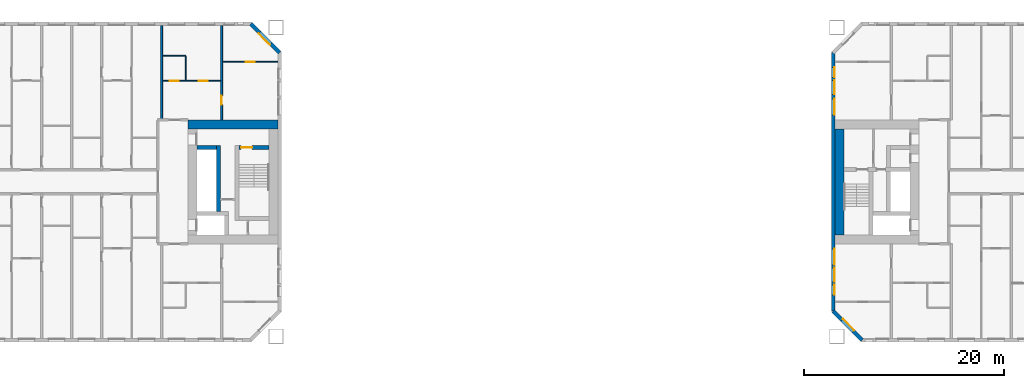
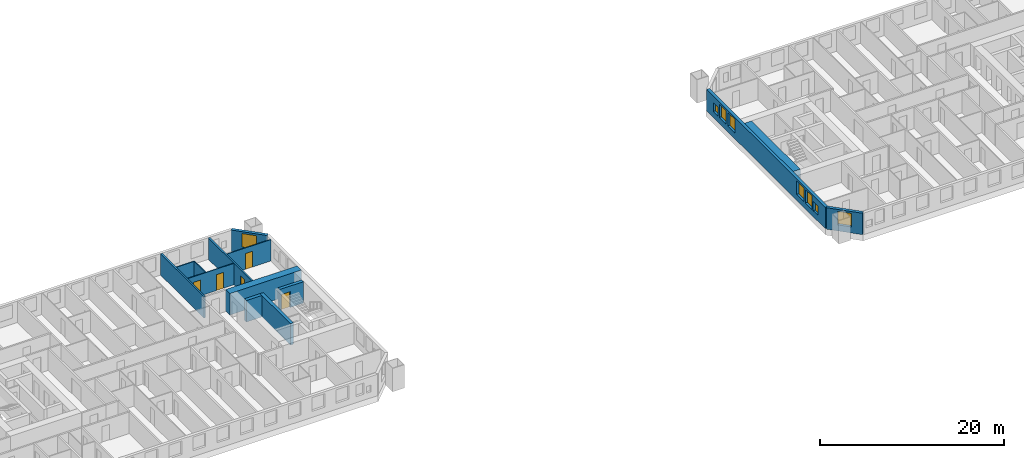
# One storey, part 8 of 16: 14 walls, 8 windows, 5 doors, 13 openings.
"""IFC4 building model written with IfcOpenShell, lengths in metres."""

from ifc_helpers import new_model, si_unit, direction, frame, frame_2d, origin, place, context, subcontext, project, spatial, rectangle, extrude, material, layer, layer_set, type_object, element, fill, save


model = new_model("IFC4")

# Units and contexts
model_context = context("Model", 3, precision=1e-05, world=origin(), true_north=direction((0.0, 1.0)))
body_context = subcontext(model_context, "Body", "Model", "MODEL_VIEW")
ifc_project = project(units=[si_unit("LENGTHUNIT", "METRE"), si_unit("AREAUNIT", "SQUARE_METRE"), si_unit("VOLUMEUNIT", "CUBIC_METRE"), si_unit("PLANEANGLEUNIT", "RADIAN"), si_unit("MASSUNIT", "GRAM", prefix="KILO")], contexts=[model_context])

# Site, building, storey
site_placement = place(None, origin())
site = spatial("IfcSite", under=ifc_project, at=site_placement, CompositionType="ELEMENT")
building_placement = place(site_placement, origin())
building = spatial("IfcBuilding", under=site, at=building_placement, Name="Tuart Gate Housing", CompositionType="ELEMENT")
storey_placement = place(building_placement, frame((0.0, 0.0, 19.5)))
storey = spatial("IfcBuildingStorey", under=building, at=storey_placement, Name="L04", CompositionType="ELEMENT", Elevation=19.5)

# Wall, opening, window
ifc_material_1 = material(Name="Brick", Category="masonry")
ifc_layer_1 = layer(ifc_material_1, 0.360107421875)
ifc_layer_set_1 = layer_set([ifc_layer_1], Name="Brick pier and spandrel wall 360")
wall_type_1 = type_object("IfcWallType", Name="Brick pier and spandrel wall 360", PredefinedType="STANDARD", material=ifc_layer_set_1)
wall_1_placement = place(storey_placement, frame((75.820068359375, 82.92529296875, 0.0), z_axis=(0.0, 0.0, 1.0), x_axis=(-0.707106781187, 0.707106781187, 0.0)))
wall_1 = element("IfcWall", 1, at=wall_1_placement, inside=storey, type_object=wall_type_1, Name="External wall A-NE L04", PredefinedType="STANDARD", context=body_context, shape_type="SweptSolid", body=[
    extrude(rectangle(XDim=4.09375, YDim=0.360107421875, at=frame_2d((2.046875, 0.0))), origin(), (0.0, 0.0, 1.0), 2.85009765625),
])
opening_1_placement = place(wall_1_placement, frame((1.2470703125, 0.0, 0.800048828125)))
opening_1 = element("IfcOpeningElement", 2, at=opening_1_placement, cuts=wall_1, Name="Opening W1", PredefinedType="OPENING", context=body_context, shape_type="SweptSolid", body=[
    extrude(rectangle(XDim=1.60009765625, YDim=1.800048828125, at=frame_2d((0.800048828125, 0.89990234375))), frame((0.0, 0.18994140625, 0.0), z_axis=(0.0, -1.0, 0.0), x_axis=(1.0, 0.0, 0.0)), (0.0, 0.0, 1.0), 0.380126953125),
])
ifc_material_2 = material(Name="Aluminium frame with clear glass", Category="aluminium")
window_type_1 = type_object("IfcWindowType", Name="Punched window 1600 x 1800", PartitioningType="SINGLE_PANEL", PredefinedType="WINDOW", material=ifc_material_2)
window_1_placement = place(opening_1_placement, origin())
window_1 = element("IfcWindow", 3, at=window_1_placement, inside=storey, type_object=window_type_1, Name="Window W1", OverallHeight=1.800048828125, OverallWidth=1.60009765625, PartitioningType="SINGLE_PANEL", PredefinedType="WINDOW", context=body_context, shape_type="SweptSolid", body=[
    extrude(rectangle(XDim=1.60009765625, YDim=1.800048828125, at=frame_2d((0.800048828125, 0.89990234375))), frame((0.0, 0.150146484375, 0.0), z_axis=(0.0, -1.0, 0.0), x_axis=(1.0, 0.0, 0.0)), (0.0, 0.0, 1.0), 0.06005859375),
])
fill(opening_1, window_1)

wall_2_placement = place(storey_placement, frame((131.179931640625, 57.07470703125, 0.0), z_axis=(0.0, 0.0, 1.0), x_axis=(0.707106781187, -0.707106781187, 0.0)))
wall_2 = element("IfcWall", 4, at=wall_2_placement, inside=storey, type_object=wall_type_1, Name="External wall B-SW L04", PredefinedType="STANDARD", context=body_context, shape_type="SweptSolid", body=[
    extrude(rectangle(XDim=4.09375, YDim=0.360107421875, at=frame_2d((2.046875, 0.0))), origin(), (0.0, 0.0, 1.0), 2.85009765625),
])
opening_2_placement = place(wall_2_placement, frame((1.2470703125, 0.0, 0.800048828125)))
opening_2 = element("IfcOpeningElement", 5, at=opening_2_placement, cuts=wall_2, Name="Opening W1", PredefinedType="OPENING", context=body_context, shape_type="SweptSolid", body=[
    extrude(rectangle(XDim=1.60009765625, YDim=1.800048828125, at=frame_2d((0.800048828125, 0.89990234375))), frame((0.0, 0.18994140625, 0.0), z_axis=(0.0, -1.0, 0.0), x_axis=(1.0, 0.0, 0.0)), (0.0, 0.0, 1.0), 0.380126953125),
])
window_2_placement = place(opening_2_placement, origin())
window_2 = element("IfcWindow", 6, at=window_2_placement, inside=storey, type_object=window_type_1, Name="Window W1", OverallHeight=1.800048828125, OverallWidth=1.60009765625, PartitioningType="SINGLE_PANEL", PredefinedType="WINDOW", context=body_context, shape_type="SweptSolid", body=[
    extrude(rectangle(XDim=1.60009765625, YDim=1.800048828125, at=frame_2d((0.800048828125, 0.89990234375))), frame((0.0, 0.150146484375, 0.0), z_axis=(0.0, -1.0, 0.0), x_axis=(1.0, 0.0, 0.0)), (0.0, 0.0, 1.0), 0.06005859375),
])
fill(opening_2, window_2)

# Wall, openings, windows
wall_3_placement = place(storey_placement, frame((131.179931640625, 82.92529296875, 0.0), z_axis=(0.0, 0.0, 1.0), x_axis=(0.0, -1.0, 0.0)))
wall_3 = element("IfcWall", 7, at=wall_3_placement, inside=storey, type_object=wall_type_1, Name="External wall B-W L04", PredefinedType="STANDARD", context=body_context, shape_type="SweptSolid", body=[
    extrude(rectangle(XDim=25.850830078125, YDim=0.360107421875, at=frame_2d((12.92529296875, 0.0))), origin(), (0.0, 0.0, 1.0), 2.85009765625),
])
opening_3_placement = place(wall_3_placement, frame((1.475341796875, 0.0, 0.800048828125)))
opening_3 = element("IfcOpeningElement", 8, at=opening_3_placement, cuts=wall_3, Name="Opening W1O", PredefinedType="OPENING", context=body_context, shape_type="SweptSolid", body=[
    extrude(rectangle(XDim=1.0, YDim=1.199951171875, at=frame_2d((0.5, 0.60009765625))), frame((0.0, 0.18994140625, 0.0), z_axis=(0.0, -1.0, 0.0), x_axis=(1.0, 0.0, 0.0)), (0.0, 0.0, 1.0), 0.380126953125),
])
opening_4_placement = place(wall_3_placement, frame((4.62548828125, 0.0, 0.800048828125)))
opening_4 = element("IfcOpeningElement", 9, at=opening_4_placement, cuts=wall_3, Name="Opening W1", PredefinedType="OPENING", context=body_context, shape_type="SweptSolid", body=[
    extrude(rectangle(XDim=1.60009765625, YDim=1.800048828125, at=frame_2d((0.800048828125, 0.89990234375))), frame((0.0, 0.18994140625, 0.0), z_axis=(0.0, -1.0, 0.0), x_axis=(1.0, 0.0, 0.0)), (0.0, 0.0, 1.0), 0.380126953125),
])
opening_5_placement = place(wall_3_placement, frame((19.62548828125, 0.0, 0.800048828125)))
opening_5 = element("IfcOpeningElement", 10, at=opening_5_placement, cuts=wall_3, Name="Opening W1", PredefinedType="OPENING", context=body_context, shape_type="SweptSolid", body=[
    extrude(rectangle(XDim=1.60009765625, YDim=1.800048828125, at=frame_2d((0.800048828125, 0.89990234375))), frame((0.0, 0.18994140625, 0.0), z_axis=(0.0, -1.0, 0.0), x_axis=(1.0, 0.0, 0.0)), (0.0, 0.0, 1.0), 0.380126953125),
])
opening_6_placement = place(wall_3_placement, frame((21.525390625, 0.0, 0.800048828125)))
opening_6 = element("IfcOpeningElement", 11, at=opening_6_placement, cuts=wall_3, Name="Opening W1A", PredefinedType="OPENING", context=body_context, shape_type="SweptSolid", body=[
    extrude(rectangle(XDim=1.39990234375, YDim=1.800048828125, at=frame_2d((0.699951171875, 0.89990234375))), frame((0.0, 0.18994140625, 0.0), z_axis=(0.0, -1.0, 0.0), x_axis=(1.0, 0.0, 0.0)), (0.0, 0.0, 1.0), 0.380126953125),
])
opening_7_placement = place(wall_3_placement, frame((2.775390625, 0.0, 0.800048828125)))
opening_7 = element("IfcOpeningElement", 12, at=opening_7_placement, cuts=wall_3, Name="Opening W1A", PredefinedType="OPENING", context=body_context, shape_type="SweptSolid", body=[
    extrude(rectangle(XDim=1.39990234375, YDim=1.800048828125, at=frame_2d((0.699951171875, 0.89990234375))), frame((0.0, 0.18994140625, 0.0), z_axis=(0.0, -1.0, 0.0), x_axis=(1.0, 0.0, 0.0)), (0.0, 0.0, 1.0), 0.380126953125),
])
opening_8_placement = place(wall_3_placement, frame((23.225341796875, 0.0, 0.800048828125)))
opening_8 = element("IfcOpeningElement", 13, at=opening_8_placement, cuts=wall_3, Name="Opening W1O", PredefinedType="OPENING", context=body_context, shape_type="SweptSolid", body=[
    extrude(rectangle(XDim=1.0, YDim=1.199951171875, at=frame_2d((0.5, 0.60009765625))), frame((0.0, 0.18994140625, 0.0), z_axis=(0.0, -1.0, 0.0), x_axis=(1.0, 0.0, 0.0)), (0.0, 0.0, 1.0), 0.380126953125),
])
ifc_material_3 = material(Name="Aluminium frame with clear glass", Category="aluminium")
window_type_2 = type_object("IfcWindowType", Name="Punched window 1000 x 1200", PartitioningType="SINGLE_PANEL", PredefinedType="WINDOW", material=ifc_material_3)
window_3_placement = place(opening_3_placement, origin())
window_3 = element("IfcWindow", 14, at=window_3_placement, inside=storey, type_object=window_type_2, Name="Window W1O", OverallHeight=1.199951171875, OverallWidth=1.0, PartitioningType="SINGLE_PANEL", PredefinedType="WINDOW", context=body_context, shape_type="SweptSolid", body=[
    extrude(rectangle(XDim=1.0, YDim=1.199951171875, at=frame_2d((0.5, 0.60009765625))), frame((0.0, 0.150146484375, 0.0), z_axis=(0.0, -1.0, 0.0), x_axis=(1.0, 0.0, 0.0)), (0.0, 0.0, 1.0), 0.06005859375),
])
fill(opening_3, window_3)
window_4_placement = place(opening_8_placement, origin())
window_4 = element("IfcWindow", 15, at=window_4_placement, inside=storey, type_object=window_type_2, Name="Window W1O", OverallHeight=1.199951171875, OverallWidth=1.0, PartitioningType="SINGLE_PANEL", PredefinedType="WINDOW", context=body_context, shape_type="SweptSolid", body=[
    extrude(rectangle(XDim=1.0, YDim=1.199951171875, at=frame_2d((0.5, 0.60009765625))), frame((0.0, 0.150146484375, 0.0), z_axis=(0.0, -1.0, 0.0), x_axis=(1.0, 0.0, 0.0)), (0.0, 0.0, 1.0), 0.06005859375),
])
fill(opening_8, window_4)
ifc_material_4 = material(Name="Aluminium frame with clear glass", Category="aluminium")
window_type_3 = type_object("IfcWindowType", Name="Punched window 1400 x 1800", PartitioningType="SINGLE_PANEL", PredefinedType="WINDOW", material=ifc_material_4)
window_5_placement = place(opening_6_placement, origin())
window_5 = element("IfcWindow", 16, at=window_5_placement, inside=storey, type_object=window_type_3, Name="Window W1A", OverallHeight=1.800048828125, OverallWidth=1.39990234375, PartitioningType="SINGLE_PANEL", PredefinedType="WINDOW", context=body_context, shape_type="SweptSolid", body=[
    extrude(rectangle(XDim=1.39990234375, YDim=1.800048828125, at=frame_2d((0.699951171875, 0.89990234375))), frame((0.0, 0.150146484375, 0.0), z_axis=(0.0, -1.0, 0.0), x_axis=(1.0, 0.0, 0.0)), (0.0, 0.0, 1.0), 0.06005859375),
])
fill(opening_6, window_5)
window_6_placement = place(opening_7_placement, origin())
window_6 = element("IfcWindow", 17, at=window_6_placement, inside=storey, type_object=window_type_3, Name="Window W1A", OverallHeight=1.800048828125, OverallWidth=1.39990234375, PartitioningType="SINGLE_PANEL", PredefinedType="WINDOW", context=body_context, shape_type="SweptSolid", body=[
    extrude(rectangle(XDim=1.39990234375, YDim=1.800048828125, at=frame_2d((0.699951171875, 0.89990234375))), frame((0.0, 0.150146484375, 0.0), z_axis=(0.0, -1.0, 0.0), x_axis=(1.0, 0.0, 0.0)), (0.0, 0.0, 1.0), 0.06005859375),
])
fill(opening_7, window_6)
window_7_placement = place(opening_4_placement, origin())
window_7 = element("IfcWindow", 18, at=window_7_placement, inside=storey, type_object=window_type_1, Name="Window W1", OverallHeight=1.800048828125, OverallWidth=1.60009765625, PartitioningType="SINGLE_PANEL", PredefinedType="WINDOW", context=body_context, shape_type="SweptSolid", body=[
    extrude(rectangle(XDim=1.60009765625, YDim=1.800048828125, at=frame_2d((0.800048828125, 0.89990234375))), frame((0.0, 0.150146484375, 0.0), z_axis=(0.0, -1.0, 0.0), x_axis=(1.0, 0.0, 0.0)), (0.0, 0.0, 1.0), 0.06005859375),
])
fill(opening_4, window_7)
window_8_placement = place(opening_5_placement, origin())
window_8 = element("IfcWindow", 19, at=window_8_placement, inside=storey, type_object=window_type_1, Name="Window W1", OverallHeight=1.800048828125, OverallWidth=1.60009765625, PartitioningType="SINGLE_PANEL", PredefinedType="WINDOW", context=body_context, shape_type="SweptSolid", body=[
    extrude(rectangle(XDim=1.60009765625, YDim=1.800048828125, at=frame_2d((0.800048828125, 0.89990234375))), frame((0.0, 0.150146484375, 0.0), z_axis=(0.0, -1.0, 0.0), x_axis=(1.0, 0.0, 0.0)), (0.0, 0.0, 1.0), 0.06005859375),
])
fill(opening_5, window_8)

# Wall
ifc_material_5 = material(Name="Concrete C60", Category="concrete")
ifc_layer_2 = layer(ifc_material_5, 0.39990234375)
ifc_layer_set_2 = layer_set([ifc_layer_2], Name="Core wall 400 C60")
wall_type_2 = type_object("IfcWallType", Name="Core wall 400 C60", PredefinedType="SHEAR", material=ifc_layer_set_2)
wall_4_placement = place(storey_placement, frame((67.5400390625, 73.449951171875, 0.0), z_axis=(0.0, 0.0, 1.0), x_axis=(1.0, 0.0, 0.0)))
element("IfcWall", 20, at=wall_4_placement, inside=storey, type_object=wall_type_2, Name="Core wall AG.4", PredefinedType="SHEAR", context=body_context, shape_type="SweptSolid", body=[
    extrude(rectangle(XDim=1.949951171875, YDim=0.39990234375, at=frame_2d((0.97509765625, 0.0))), origin(), (0.0, 0.0, 1.0), 2.85009765625),
])

# Wall, opening, door
wall_5_placement = place(storey_placement, frame((71.739990234375, 73.449951171875, 0.0), z_axis=(0.0, 0.0, 1.0), x_axis=(1.0, 0.0, 0.0)))
wall_5 = element("IfcWall", 21, at=wall_5_placement, inside=storey, type_object=wall_type_2, Name="Core wall AG.5", PredefinedType="SHEAR", context=body_context, shape_type="SweptSolid", body=[
    extrude(rectangle(XDim=3.0, YDim=0.39990234375, at=frame_2d((1.5, 0.0))), origin(), (0.0, 0.0, 1.0), 2.85009765625),
])
opening_9_placement = place(wall_5_placement, frame((0.219970703125, 0.0, 0.0)))
opening_9 = element("IfcOpeningElement", 22, at=opening_9_placement, cuts=wall_5, Name="Opening D368", PredefinedType="OPENING", context=body_context, shape_type="SweptSolid", body=[
    extrude(rectangle(XDim=1.10009765625, YDim=2.10009765625, at=frame_2d((0.550048828125, 1.050048828125))), frame((0.0, 0.2099609375, 0.0), z_axis=(0.0, -1.0, 0.0), x_axis=(1.0, 0.0, 0.0)), (0.0, 0.0, 1.0), 0.419921875),
])
ifc_material_6 = material(Name="Steel fire door", Category="steel")
door_type_1 = type_object("IfcDoorType", Name="Stair door 1100 x 2100 RH", OperationType="SINGLE_SWING_RIGHT", PredefinedType="DOOR", material=ifc_material_6)
door_1_placement = place(opening_9_placement, frame((1.10009765625, 0.0, 0.0), z_axis=(0.0, 0.0, 1.0), x_axis=(-1.0, 0.0, 0.0)))
door_1 = element("IfcDoor", 23, at=door_1_placement, inside=storey, type_object=door_type_1, Name="Stair door AG.SD", OperationType="SINGLE_SWING_RIGHT", OverallHeight=2.10009765625, OverallWidth=1.10009765625, PredefinedType="DOOR", context=body_context, shape_type="SweptSolid", body=[
    extrude(rectangle(XDim=1.10009765625, YDim=2.10009765625, at=frame_2d((0.550048828125, 1.050048828125))), frame((0.0, 0.025146484375, 0.0), z_axis=(0.0, -1.0, 0.0), x_axis=(1.0, 0.0, 0.0)), (0.0, 0.0, 1.0), 0.050048828125),
])
fill(opening_9, door_1)

# Walls
wall_6_placement = place(storey_placement, frame((69.68994140625, 67.050048828125, 0.0), z_axis=(0.0, 0.0, 1.0), x_axis=(0.0, 1.0, 0.0)))
element("IfcWall", 24, at=wall_6_placement, inside=storey, type_object=wall_type_2, Name="Core wall AG.6", PredefinedType="SHEAR", context=body_context, shape_type="SweptSolid", body=[
    extrude(rectangle(XDim=6.599853515625, YDim=0.39990234375, at=frame_2d((3.2998046875, 0.0))), origin(), (0.0, 0.0, 1.0), 2.85009765625),
])
ifc_material_7 = material(Name="Concrete C60", Category="concrete")
ifc_layer_3 = layer(ifc_material_7, 0.89990234375)
ifc_layer_set_3 = layer_set([ifc_layer_3], Name="Core wall 900 C60")
wall_type_3 = type_object("IfcWallType", Name="Core wall 900 C60", PredefinedType="SHEAR", material=ifc_layer_set_3)
wall_7_placement = place(storey_placement, frame((66.639892578125, 75.75, 0.0), z_axis=(0.0, 0.0, 1.0), x_axis=(1.0, 0.0, 0.0)))
element("IfcWall", 25, at=wall_7_placement, inside=storey, type_object=wall_type_3, Name="Core wall AG north", PredefinedType="SHEAR", context=body_context, shape_type="SweptSolid", body=[
    extrude(rectangle(XDim=9.0, YDim=0.89990234375, at=frame_2d((4.5, 0.0))), origin(), (0.0, 0.0, 1.0), 2.85009765625),
])
wall_8_placement = place(storey_placement, frame((131.81005859375, 64.699951171875, 0.0), z_axis=(0.0, 0.0, 1.0), x_axis=(0.0, 1.0, 0.0)))
element("IfcWall", 26, at=wall_8_placement, inside=storey, type_object=wall_type_3, Name="Core wall BG back", PredefinedType="SHEAR", context=body_context, shape_type="SweptSolid", body=[
    extrude(rectangle(XDim=10.60009765625, YDim=0.89990234375, at=frame_2d((5.300048828125, 0.0))), origin(), (0.0, 0.0, 1.0), 2.85009765625),
])

# Wall, openings, doors
ifc_material_8 = material(Name="Gypsum board on steel studs", Category="steel")
ifc_layer_4 = layer(ifc_material_8, 0.10009765625)
ifc_layer_set_4 = layer_set([ifc_layer_4], Name="Partition 100")
wall_type_4 = type_object("IfcWallType", Name="Partition 100", PredefinedType="PARTITIONING", material=ifc_layer_set_4)
wall_9_placement = place(storey_placement, frame((64.10009765625, 80.10009765625, 0.0), z_axis=(0.0, 0.0, 1.0), x_axis=(1.0, 0.0, 0.0)))
wall_9 = element("IfcWall", 27, at=wall_9_placement, inside=storey, type_object=wall_type_4, Name="Partition 100", PredefinedType="PARTITIONING", context=body_context, shape_type="SweptSolid", body=[
    extrude(rectangle(XDim=5.7998046875, YDim=0.10009765625, at=frame_2d((2.89990234375, 0.0))), origin(), (0.0, 0.0, 1.0), 2.85009765625),
])
opening_10_placement = place(wall_9_placement, frame((3.60009765625, 0.0, 0.0)))
opening_10 = element("IfcOpeningElement", 28, at=opening_10_placement, cuts=wall_9, Name="Opening D353", PredefinedType="OPENING", context=body_context, shape_type="SweptSolid", body=[
    extrude(rectangle(XDim=0.89990234375, YDim=2.10009765625, at=frame_2d((0.449951171875, 1.050048828125))), frame((0.0, 0.06005859375, 0.0), z_axis=(0.0, -1.0, 0.0), x_axis=(1.0, 0.0, 0.0)), (0.0, 0.0, 1.0), 0.1201171875),
])
opening_11_placement = place(wall_9_placement, frame((0.699951171875, 0.0, 0.0)))
opening_11 = element("IfcOpeningElement", 29, at=opening_11_placement, cuts=wall_9, Name="Opening D352", PredefinedType="OPENING", context=body_context, shape_type="SweptSolid", body=[
    extrude(rectangle(XDim=0.89990234375, YDim=2.10009765625, at=frame_2d((0.449951171875, 1.050048828125))), frame((0.0, 0.06005859375, 0.0), z_axis=(0.0, -1.0, 0.0), x_axis=(1.0, 0.0, 0.0)), (0.0, 0.0, 1.0), 0.1201171875),
])
ifc_material_9 = material(Name="Timber door leaf in steel frame", Category="steel")
door_type_2 = type_object("IfcDoorType", Name="Bathroom door 900 RH", OperationType="SINGLE_SWING_RIGHT", PredefinedType="DOOR", material=ifc_material_9)
door_2_placement = place(opening_11_placement, origin())
door_2 = element("IfcDoor", 30, at=door_2_placement, inside=storey, type_object=door_type_2, Name="Bathroom door", OperationType="SINGLE_SWING_RIGHT", OverallHeight=2.10009765625, OverallWidth=0.89990234375, PredefinedType="DOOR", context=body_context, shape_type="SweptSolid", body=[
    extrude(rectangle(XDim=0.89990234375, YDim=2.10009765625, at=frame_2d((0.449951171875, 1.050048828125))), frame((0.0, 0.02490234375, 0.0), z_axis=(0.0, -1.0, 0.0), x_axis=(1.0, 0.0, 0.0)), (0.0, 0.0, 1.0), 0.050048828125),
])
fill(opening_11, door_2)
ifc_material_10 = material(Name="Timber door leaf in steel frame", Category="steel")
door_type_3 = type_object("IfcDoorType", Name="Internal door 900", OperationType="SINGLE_SWING_LEFT", PredefinedType="DOOR", material=ifc_material_10)
door_3_placement = place(opening_10_placement, origin())
door_3 = element("IfcDoor", 31, at=door_3_placement, inside=storey, type_object=door_type_3, Name="Internal door", OperationType="SINGLE_SWING_LEFT", OverallHeight=2.10009765625, OverallWidth=0.89990234375, PredefinedType="DOOR", context=body_context, shape_type="SweptSolid", body=[
    extrude(rectangle(XDim=0.89990234375, YDim=2.10009765625, at=frame_2d((0.449951171875, 1.050048828125))), frame((0.0, 0.02490234375, 0.0), z_axis=(0.0, -1.0, 0.0), x_axis=(1.0, 0.0, 0.0)), (0.0, 0.0, 1.0), 0.050048828125),
])
fill(opening_10, door_3)

# Wall, opening, door
wall_10_placement = place(storey_placement, frame((70.10009765625, 82.0, 0.0), z_axis=(0.0, 0.0, 1.0), x_axis=(1.0, 0.0, 0.0)))
wall_10 = element("IfcWall", 32, at=wall_10_placement, inside=storey, type_object=wall_type_4, Name="Partition 100", PredefinedType="PARTITIONING", context=body_context, shape_type="SweptSolid", body=[
    extrude(rectangle(XDim=5.539794921875, YDim=0.10009765625, at=frame_2d((2.77001953125, 0.0))), origin(), (0.0, 0.0, 1.0), 2.85009765625),
])
opening_12_placement = place(wall_10_placement, frame((2.320068359375, 0.0, 0.0)))
opening_12 = element("IfcOpeningElement", 33, at=opening_12_placement, cuts=wall_10, Name="Opening D347", PredefinedType="OPENING", context=body_context, shape_type="SweptSolid", body=[
    extrude(rectangle(XDim=0.89990234375, YDim=2.10009765625, at=frame_2d((0.449951171875, 1.050048828125))), frame((0.0, 0.06005859375, 0.0), z_axis=(0.0, -1.0, 0.0), x_axis=(1.0, 0.0, 0.0)), (0.0, 0.0, 1.0), 0.1201171875),
])
ifc_material_11 = material(Name="Timber door leaf in steel frame", Category="steel")
door_type_4 = type_object("IfcDoorType", Name="Internal door 900 RH", OperationType="SINGLE_SWING_RIGHT", PredefinedType="DOOR", material=ifc_material_11)
door_4_placement = place(opening_12_placement, origin())
door_4 = element("IfcDoor", 34, at=door_4_placement, inside=storey, type_object=door_type_4, Name="Internal door", OperationType="SINGLE_SWING_RIGHT", OverallHeight=2.10009765625, OverallWidth=0.89990234375, PredefinedType="DOOR", context=body_context, shape_type="SweptSolid", body=[
    extrude(rectangle(XDim=0.89990234375, YDim=2.10009765625, at=frame_2d((0.449951171875, 1.050048828125))), frame((0.0, 0.02490234375, 0.0), z_axis=(0.0, -1.0, 0.0), x_axis=(1.0, 0.0, 0.0)), (0.0, 0.0, 1.0), 0.050048828125),
])
fill(opening_12, door_4)

# Walls
wall_11_placement = place(storey_placement, frame((64.10009765625, 82.60009765625, 0.0), z_axis=(0.0, 0.0, 1.0), x_axis=(1.0, 0.0, 0.0)))
element("IfcWall", 35, at=wall_11_placement, inside=storey, type_object=wall_type_4, Name="Partition 100", PredefinedType="PARTITIONING", context=body_context, shape_type="SweptSolid", body=[
    extrude(rectangle(XDim=2.2998046875, YDim=0.10009765625, at=frame_2d((1.14990234375, 0.0))), origin(), (0.0, 0.0, 1.0), 2.85009765625),
])
wall_12_placement = place(storey_placement, frame((66.39990234375, 80.14990234375, 0.0), z_axis=(0.0, 0.0, 1.0), x_axis=(0.0, 1.0, 0.0)))
element("IfcWall", 36, at=wall_12_placement, inside=storey, type_object=wall_type_4, Name="Partition 100", PredefinedType="PARTITIONING", context=body_context, shape_type="SweptSolid", body=[
    extrude(rectangle(XDim=2.400146484375, YDim=0.10009765625, at=frame_2d((1.2001953125, 0.0))), origin(), (0.0, 0.0, 1.0), 2.85009765625),
])
ifc_material_12 = material(Name="Concrete C40", Category="concrete")
ifc_layer_5 = layer(ifc_material_12, 0.199951171875)
ifc_layer_set_5 = layer_set([ifc_layer_5], Name="Party wall concrete C40 200")
wall_type_5 = type_object("IfcWallType", Name="Party wall concrete C40 200", PredefinedType="SOLIDWALL", material=ifc_layer_set_5)
wall_13_placement = place(storey_placement, frame((64.0, 76.199951171875, 0.0), z_axis=(0.0, 0.0, 1.0), x_axis=(0.0, 1.0, 0.0)))
element("IfcWall", 37, at=wall_13_placement, inside=storey, type_object=wall_type_5, Name="Party wall concrete C40 200", PredefinedType="SOLIDWALL", context=body_context, shape_type="SweptSolid", body=[
    extrude(rectangle(XDim=9.43994140625, YDim=0.199951171875, at=frame_2d((4.719970703125, 0.0))), origin(), (0.0, 0.0, 1.0), 2.85009765625),
])

# Wall, opening, door
wall_14_placement = place(storey_placement, frame((70.0, 76.199951171875, 0.0), z_axis=(0.0, 0.0, 1.0), x_axis=(0.0, 1.0, 0.0)))
wall_14 = element("IfcWall", 38, at=wall_14_placement, inside=storey, type_object=wall_type_5, Name="Party wall concrete C40 200", PredefinedType="SOLIDWALL", context=body_context, shape_type="SweptSolid", body=[
    extrude(rectangle(XDim=9.43994140625, YDim=0.199951171875, at=frame_2d((4.719970703125, 0.0))), origin(), (0.0, 0.0, 1.0), 2.85009765625),
])
opening_13_placement = place(wall_14_placement, frame((1.5, 0.0, 0.0)))
opening_13 = element("IfcOpeningElement", 39, at=opening_13_placement, cuts=wall_14, Name="Opening D348", PredefinedType="OPENING", context=body_context, shape_type="SweptSolid", body=[
    extrude(rectangle(XDim=0.89990234375, YDim=2.10009765625, at=frame_2d((0.449951171875, 1.050048828125))), frame((0.0, 0.10986328125, 0.0), z_axis=(0.0, -1.0, 0.0), x_axis=(1.0, 0.0, 0.0)), (0.0, 0.0, 1.0), 0.219970703125),
])
door_5_placement = place(opening_13_placement, origin())
door_5 = element("IfcDoor", 40, at=door_5_placement, inside=storey, type_object=door_type_3, Name="Internal door", OperationType="SINGLE_SWING_LEFT", OverallHeight=2.10009765625, OverallWidth=0.89990234375, PredefinedType="DOOR", context=body_context, shape_type="SweptSolid", body=[
    extrude(rectangle(XDim=0.89990234375, YDim=2.10009765625, at=frame_2d((0.449951171875, 1.050048828125))), frame((0.0, 0.02490234375, 0.0), z_axis=(0.0, -1.0, 0.0), x_axis=(1.0, 0.0, 0.0)), (0.0, 0.0, 1.0), 0.050048828125),
])
fill(opening_13, door_5)

save(model, "model.ifc")
